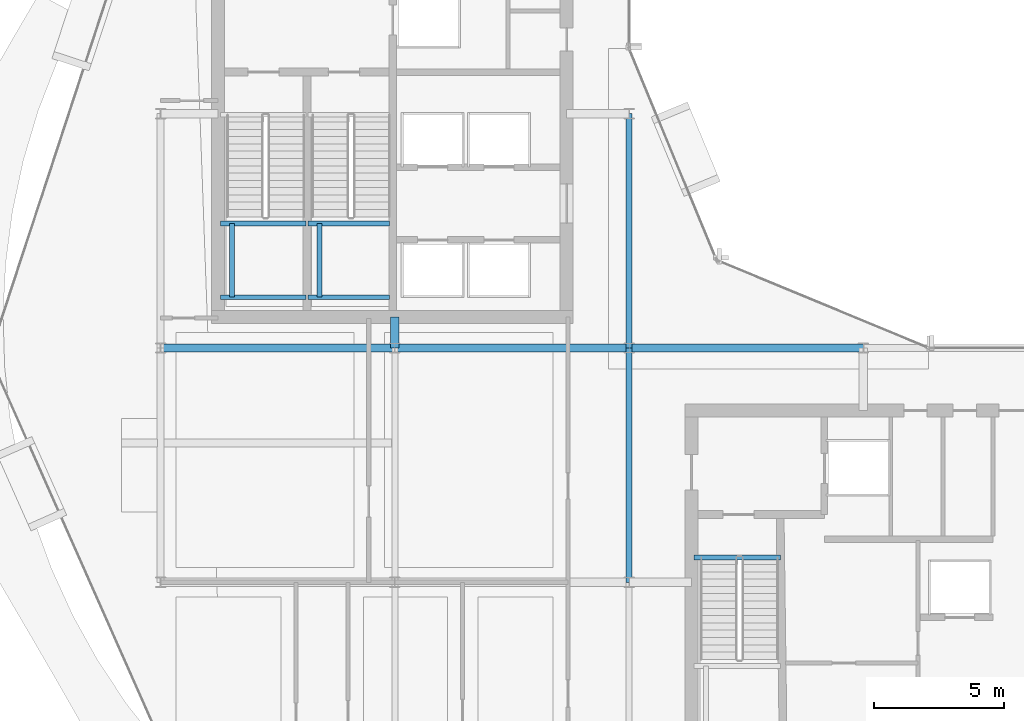
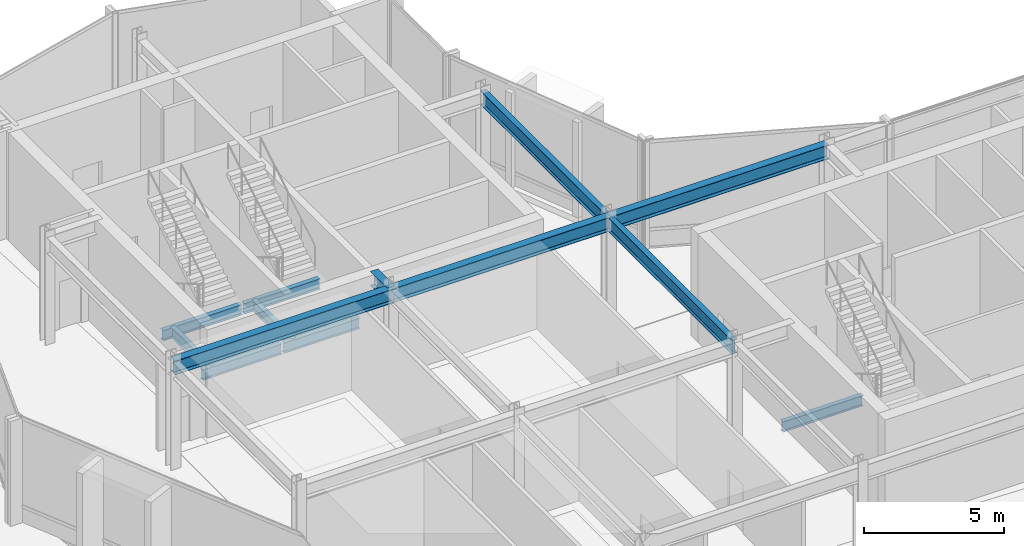
# One storey, part 7 of 28: 13 beams.
"""IFC4 building model written with IfcOpenShell, lengths in metres."""

from ifc_helpers import new_model, si_unit, direction, frame, origin, origin_2d, place, context, subcontext, project, spatial, i_section, extrude, material, material_profile, profile_set, type_object, element, save


model = new_model("IFC4")

# Units and contexts
model_context = context("Model", 3, precision=1e-05, world=origin(), true_north=direction((0.0, 1.0)))
body_context = subcontext(model_context, "Body", "Model", "MODEL_VIEW")
ifc_project = project(units=[si_unit("LENGTHUNIT", "METRE"), si_unit("AREAUNIT", "SQUARE_METRE"), si_unit("VOLUMEUNIT", "CUBIC_METRE"), si_unit("PLANEANGLEUNIT", "RADIAN"), si_unit("MASSUNIT", "GRAM", prefix="KILO")], contexts=[model_context])

# Site, building, storey
site_placement = place(None, origin())
site = spatial("IfcSite", under=ifc_project, at=site_placement, CompositionType="ELEMENT")
building_placement = place(site_placement, origin())
building = spatial("IfcBuilding", under=site, at=building_placement, Name="Solvaryn Broadcast Tower", CompositionType="ELEMENT")
storey_placement = place(building_placement, frame((0.0, 0.0, 201.199951171875)))
storey = spatial("IfcBuildingStorey", under=building, at=storey_placement, Name="L50", CompositionType="ELEMENT", Elevation=201.199951171875)

# Beams
ifc_material_1 = material(Name="Steel ASTM A992 Grade 50", Category="steel")
ifc_material_profile_1 = material_profile(ifc_material_1, i_section(OverallWidth=0.323974609375, OverallDepth=0.611083984375, WebThickness=0.0126953125, FlangeThickness=0.01904296875, FilletRadius=0.014892578125, at=origin_2d()))
ifc_profile_set_1 = profile_set([ifc_material_profile_1], Name="Steel ASTM A992 Grade 50")
beam_type_1 = type_object("IfcBeamType", Name="BM-B1-W24X104", PredefinedType="BEAM", material=ifc_profile_set_1)
for number, where, z_axis, x_axis, name in (
    (1, (9.0, 27.0, 4.41455078125), (1.0, 0.0, 0.0), (0.0, 1.0, 0.0), "L50 Primary Beam X (9-18 @ Y=27)"),
    (2, (18.0, 27.0, 4.41455078125), (1.0, 0.0, 0.0), (0.0, 1.0, 0.0), "L50 Primary Beam X (18-27 @ Y=27)"),
    (3, (27.0, 27.0, 4.41455078125), (1.0, 0.0, 0.0), (0.0, 1.0, 0.0), "L50 Primary Beam X (27-36 @ Y=27)"),
):
    element("IfcBeam", number, at=place(storey_placement, frame(where, z_axis=z_axis, x_axis=x_axis)), inside=storey, type_object=beam_type_1, Name=name, PredefinedType="BEAM", context=body_context, shape_type="SweptSolid", body=[
        extrude(i_section(OverallWidth=0.323974609375, OverallDepth=0.611083984375, WebThickness=0.0126953125, FlangeThickness=0.01904296875, FilletRadius=0.014892578125, at=origin_2d()), origin(), (0.0, 0.0, 1.0), 9.0),
    ])
beam_1_placement = place(storey_placement, frame((18.0, 27.0, 4.41455078125), z_axis=(0.0, 1.0, 0.0), x_axis=(-1.0, 0.0, 0.0)))
element("IfcBeam", 4, at=beam_1_placement, inside=storey, type_object=beam_type_1, Name="L50 Core Tie Beam CTW4", PredefinedType="BEAM", context=body_context, shape_type="SweptSolid", body=[
    extrude(i_section(OverallWidth=0.323974609375, OverallDepth=0.611083984375, WebThickness=0.0126953125, FlangeThickness=0.01904296875, FilletRadius=0.014892578125, at=origin_2d()), origin(), (0.0, 0.0, 1.0), 1.199951171875),
])
ifc_material_2 = material(Name="Steel ASTM A992 Grade 50", Category="steel")
ifc_material_profile_2 = material_profile(ifc_material_2, i_section(OverallWidth=0.22802734375, OverallDepth=0.60791015625, WebThickness=0.01123046875, FlangeThickness=0.017333984375, FilletRadius=0.014892578125, at=origin_2d()))
ifc_profile_set_2 = profile_set([ifc_material_profile_2], Name="Steel ASTM A992 Grade 50")
beam_type_2 = type_object("IfcBeamType", Name="BM-B2-W24X76", PredefinedType="BEAM", material=ifc_profile_set_2)
for number, where, z_axis, x_axis, name in (
    (5, (27.0, 18.0, 4.416015625), (0.0, 1.0, 0.0), (-1.0, 0.0, 0.0), "L50 Primary Beam Y (18-27 @ X=27)"),
    (6, (27.0, 27.0, 4.416015625), (0.0, 1.0, 0.0), (-1.0, 0.0, 0.0), "L50 Primary Beam Y (27-36 @ X=27)"),
):
    element("IfcBeam", number, at=place(storey_placement, frame(where, z_axis=z_axis, x_axis=x_axis)), inside=storey, type_object=beam_type_2, Name=name, PredefinedType="BEAM", context=body_context, shape_type="SweptSolid", body=[
        extrude(i_section(OverallWidth=0.22802734375, OverallDepth=0.60791015625, WebThickness=0.01123046875, FlangeThickness=0.017333984375, FilletRadius=0.014892578125, at=origin_2d()), origin(), (0.0, 0.0, 1.0), 9.0),
    ])
ifc_material_3 = material(Name="Steel ASTM A992 Grade 50", Category="steel")
ifc_material_profile_3 = material_profile(ifc_material_3, i_section(OverallWidth=0.18994140625, OverallDepth=0.45703125, WebThickness=0.009033203125, FlangeThickness=0.014404296875, FilletRadius=0.011962890625, at=origin_2d()))
ifc_profile_set_3 = profile_set([ifc_material_profile_3], Name="Steel ASTM A992 Grade 50")
beam_type_3 = type_object("IfcBeamType", Name="BM-B4-W18X50", PredefinedType="BEAM", material=ifc_profile_set_3)
for number, where, z_axis, x_axis, name in (
    (7, (11.300048828125, 28.949951171875, 2.071533203125), (1.0, 0.0, 0.0), (0.0, 1.0, 0.0), "L50 ST1 Landing Support Beam 1A"),
    (8, (11.300048828125, 31.7900390625, 2.071533203125), (1.0, 0.0, 0.0), (0.0, 1.0, 0.0), "L50 ST1 Landing Support Beam 1B"),
):
    element("IfcBeam", number, at=place(storey_placement, frame(where, z_axis=z_axis, x_axis=x_axis)), inside=storey, type_object=beam_type_3, Name=name, PredefinedType="BEAM", context=body_context, shape_type="SweptSolid", body=[
        extrude(i_section(OverallWidth=0.18994140625, OverallDepth=0.45703125, WebThickness=0.009033203125, FlangeThickness=0.014404296875, FilletRadius=0.011962890625, at=origin_2d()), origin(), (0.0, 0.0, 1.0), 3.280029296875),
    ])
beam_2_placement = place(storey_placement, frame((11.75, 28.949951171875, 2.071533203125), z_axis=(0.0, 1.0, 0.0), x_axis=(-1.0, 0.0, 0.0)))
element("IfcBeam", 9, at=beam_2_placement, inside=storey, type_object=beam_type_3, Name="L50 ST1 Landing Cross Stringer 1C", PredefinedType="BEAM", context=body_context, shape_type="SweptSolid", body=[
    extrude(i_section(OverallWidth=0.18994140625, OverallDepth=0.45703125, WebThickness=0.009033203125, FlangeThickness=0.014404296875, FilletRadius=0.011962890625, at=origin_2d()), origin(), (0.0, 0.0, 1.0), 2.840087890625),
])
for number, where, z_axis, x_axis, name in (
    (10, (14.659912109375, 28.949951171875, 2.071533203125), (1.0, 0.0, 0.0), (0.0, 1.0, 0.0), "L50 ST2 Landing Support Beam 1A"),
    (11, (14.659912109375, 31.7900390625, 2.071533203125), (1.0, 0.0, 0.0), (0.0, 1.0, 0.0), "L50 ST2 Landing Support Beam 1B"),
):
    element("IfcBeam", number, at=place(storey_placement, frame(where, z_axis=z_axis, x_axis=x_axis)), inside=storey, type_object=beam_type_3, Name=name, PredefinedType="BEAM", context=body_context, shape_type="SweptSolid", body=[
        extrude(i_section(OverallWidth=0.18994140625, OverallDepth=0.45703125, WebThickness=0.009033203125, FlangeThickness=0.014404296875, FilletRadius=0.011962890625, at=origin_2d()), origin(), (0.0, 0.0, 1.0), 3.14013671875),
    ])
beam_3_placement = place(storey_placement, frame((15.110107421875, 28.949951171875, 2.071533203125), z_axis=(0.0, 1.0, 0.0), x_axis=(-1.0, 0.0, 0.0)))
element("IfcBeam", 12, at=beam_3_placement, inside=storey, type_object=beam_type_3, Name="L50 ST2 Landing Cross Stringer 1C", PredefinedType="BEAM", context=body_context, shape_type="SweptSolid", body=[
    extrude(i_section(OverallWidth=0.18994140625, OverallDepth=0.45703125, WebThickness=0.009033203125, FlangeThickness=0.014404296875, FilletRadius=0.011962890625, at=origin_2d()), origin(), (0.0, 0.0, 1.0), 2.840087890625),
])
beam_4_placement = place(storey_placement, frame((29.5, 18.9599609375, -0.508544921875), z_axis=(1.0, 0.0, 0.0), x_axis=(0.0, 1.0, 0.0)))
element("IfcBeam", 13, at=beam_4_placement, inside=storey, type_object=beam_type_3, Name="L50 ST3 Stair Well Trimmer Beam", PredefinedType="BEAM", context=body_context, shape_type="SweptSolid", body=[
    extrude(i_section(OverallWidth=0.18994140625, OverallDepth=0.45703125, WebThickness=0.009033203125, FlangeThickness=0.014404296875, FilletRadius=0.011962890625, at=origin_2d()), origin(), (0.0, 0.0, 1.0), 3.320068359375),
])

save(model, "model.ifc")
